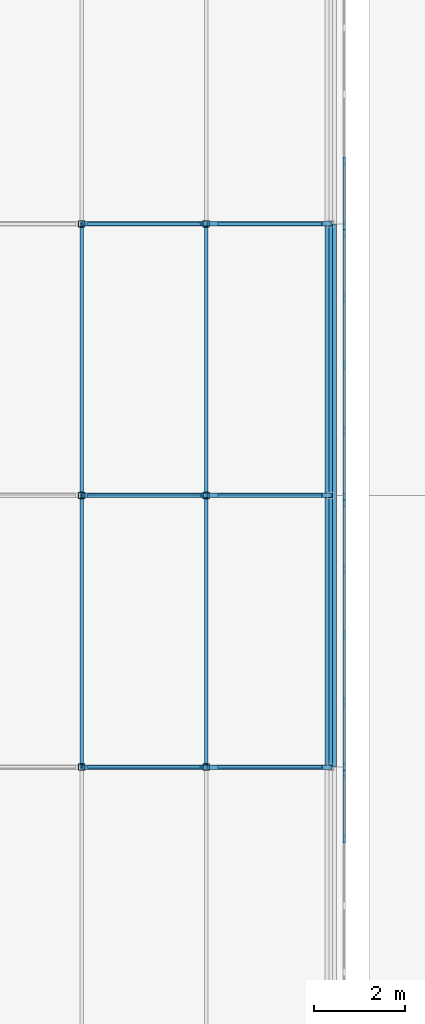
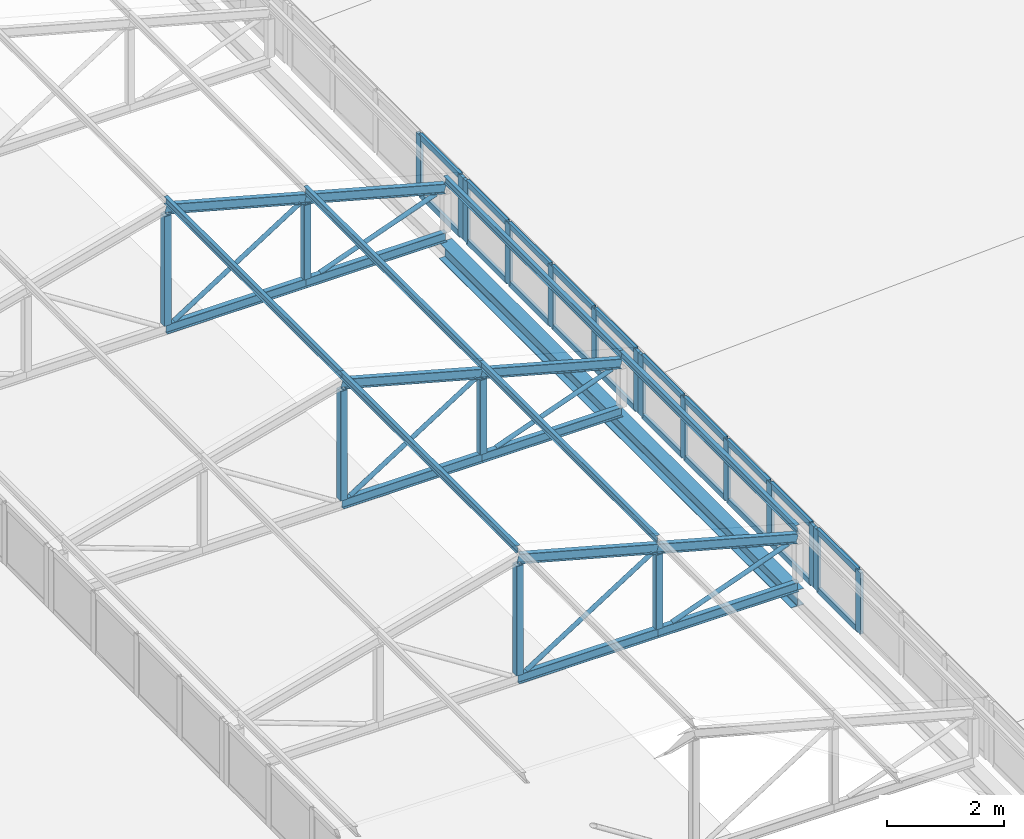
# One storey, part 40 of 94: 64 members, 1 beam, 4 elements without a shape of their own.
"""IFC4 building model written with IfcOpenShell, lengths in metres."""

from ifc_helpers import new_model, si_unit, direction, frame, origin, origin_2d, place, context, subcontext, project, spatial, rectangle, hollow_rectangle, hollow_circle, i_section, extrude, material, layer, layer_set, material_profile, profile_set, type_object, element, aggregate, save


model = new_model("IFC4")

# Units and contexts
model_context = context("Model", 3, precision=1e-05, world=origin(), true_north=direction((0.0, 1.0)))
body_context = subcontext(model_context, "Body", "Model", "MODEL_VIEW")
ifc_project = project(units=[si_unit("LENGTHUNIT", "METRE"), si_unit("AREAUNIT", "SQUARE_METRE"), si_unit("VOLUMEUNIT", "CUBIC_METRE"), si_unit("PLANEANGLEUNIT", "RADIAN"), si_unit("MASSUNIT", "GRAM", prefix="KILO")], contexts=[model_context])

# Site, building, storey
site_placement = place(None, origin())
site = spatial("IfcSite", under=ifc_project, at=site_placement, CompositionType="ELEMENT")
building_placement = place(site_placement, origin())
building = spatial("IfcBuilding", under=site, at=building_placement, Name="Lilac Gate Convention Centre", CompositionType="ELEMENT")
storey_placement = place(building_placement, frame((0.0, 0.0, 21.0)))
storey = spatial("IfcBuildingStorey", under=building, at=storey_placement, Name="L04", CompositionType="ELEMENT", Elevation=21.0)

# Curtain wall, members
ifc_material_1 = material(Name="Aluminium framed double glazing", Category="aluminium")
ifc_layer = layer(ifc_material_1, 0.199951171875)
ifc_layer_set = layer_set([ifc_layer], Name="Aluminium framed double glazing")
curtain_wall_type = type_object("IfcCurtainWallType", Name="Unitised curtain wall 1500", PredefinedType="NOTDEFINED", material=ifc_layer_set)
curtain_wall_1_placement = place(storey_placement, origin())
curtain_wall_1 = element("IfcCurtainWall", 1, at=curtain_wall_1_placement, inside=storey, type_object=curtain_wall_type, Name="Lantern clerestory E 19", PredefinedType="NOTDEFINED")
ifc_material_2 = material(Name="Aluminium alloy 6063", Category="aluminium")
ifc_material_profile_1 = material_profile(ifc_material_2, rectangle(XDim=0.06005859375, YDim=0.159912109375, at=origin_2d()), Name="Curtain wall mullion 60 x 160")
ifc_profile_set_1 = profile_set([ifc_material_profile_1], Name="Aluminium alloy 6063")
member_type_1 = type_object("IfcMemberType", Name="Curtain wall mullion 60 x 160", PredefinedType="MULLION", material=ifc_profile_set_1)
member_1_placement = place(storey_placement, frame((28.89990234375, 142.40625, 0.0), z_axis=(0.0, 0.0, 1.0), x_axis=(-1.0, 0.0, 0.0)))
member_1 = element("IfcMember", 2, at=member_1_placement, type_object=member_type_1, Name="CW mullion 4", PredefinedType="MULLION", context=body_context, shape_type="SweptSolid", body=[
    extrude(rectangle(XDim=0.06005859375, YDim=0.159912109375, at=origin_2d()), origin(), (0.0, 0.0, 1.0), 1.272216796875),
])
member_2_placement = place(storey_placement, frame((28.89990234375, 143.844970703125, 0.0), z_axis=(0.0, 0.0, 1.0), x_axis=(-1.0, 0.0, 0.0)))
member_2 = element("IfcMember", 3, at=member_2_placement, type_object=member_type_1, Name="CW mullion 5", PredefinedType="MULLION", context=body_context, shape_type="SweptSolid", body=[
    extrude(rectangle(XDim=0.06005859375, YDim=0.159912109375, at=origin_2d()), origin(), (0.0, 0.0, 1.0), 1.272216796875),
])

curtain_wall_2_placement = place(storey_placement, origin())
curtain_wall_2 = element("IfcCurtainWall", 4, at=curtain_wall_2_placement, inside=storey, type_object=curtain_wall_type, Name="Lantern clerestory E 20", PredefinedType="NOTDEFINED")
member_3_placement = place(storey_placement, frame((28.89990234375, 144.005126953125, 0.0), z_axis=(0.0, 0.0, 1.0), x_axis=(-1.0, 0.0, 0.0)))
member_3 = element("IfcMember", 5, at=member_3_placement, type_object=member_type_1, Name="CW mullion 1", PredefinedType="MULLION", context=body_context, shape_type="SweptSolid", body=[
    extrude(rectangle(XDim=0.06005859375, YDim=0.159912109375, at=origin_2d()), origin(), (0.0, 0.0, 1.0), 1.272216796875),
])
member_4_placement = place(storey_placement, frame((28.89990234375, 145.44384765625, 0.0), z_axis=(0.0, 0.0, 1.0), x_axis=(-1.0, 0.0, 0.0)))
member_4 = element("IfcMember", 6, at=member_4_placement, type_object=member_type_1, Name="CW mullion 2", PredefinedType="MULLION", context=body_context, shape_type="SweptSolid", body=[
    extrude(rectangle(XDim=0.06005859375, YDim=0.159912109375, at=origin_2d()), origin(), (0.0, 0.0, 1.0), 1.272216796875),
])
member_5_placement = place(storey_placement, frame((28.89990234375, 146.91259765625, 0.0), z_axis=(0.0, 0.0, 1.0), x_axis=(-1.0, 0.0, 0.0)))
member_5 = element("IfcMember", 7, at=member_5_placement, type_object=member_type_1, Name="CW mullion 3", PredefinedType="MULLION", context=body_context, shape_type="SweptSolid", body=[
    extrude(rectangle(XDim=0.06005859375, YDim=0.159912109375, at=origin_2d()), origin(), (0.0, 0.0, 1.0), 1.272216796875),
])
member_6_placement = place(storey_placement, frame((28.89990234375, 148.38134765625, 0.0), z_axis=(0.0, 0.0, 1.0), x_axis=(-1.0, 0.0, 0.0)))
member_6 = element("IfcMember", 8, at=member_6_placement, type_object=member_type_1, Name="CW mullion 4", PredefinedType="MULLION", context=body_context, shape_type="SweptSolid", body=[
    extrude(rectangle(XDim=0.06005859375, YDim=0.159912109375, at=origin_2d()), origin(), (0.0, 0.0, 1.0), 1.272216796875),
])
member_7_placement = place(storey_placement, frame((28.89990234375, 149.820068359375, 0.0), z_axis=(0.0, 0.0, 1.0), x_axis=(-1.0, 0.0, 0.0)))
member_7 = element("IfcMember", 9, at=member_7_placement, type_object=member_type_1, Name="CW mullion 5", PredefinedType="MULLION", context=body_context, shape_type="SweptSolid", body=[
    extrude(rectangle(XDim=0.06005859375, YDim=0.159912109375, at=origin_2d()), origin(), (0.0, 0.0, 1.0), 1.272216796875),
])

curtain_wall_3_placement = place(storey_placement, origin())
curtain_wall_3 = element("IfcCurtainWall", 10, at=curtain_wall_3_placement, inside=storey, type_object=curtain_wall_type, Name="Lantern clerestory E 21", PredefinedType="NOTDEFINED")
member_8_placement = place(storey_placement, frame((28.89990234375, 149.97998046875, 0.0), z_axis=(0.0, 0.0, 1.0), x_axis=(-1.0, 0.0, 0.0)))
member_8 = element("IfcMember", 11, at=member_8_placement, type_object=member_type_1, Name="CW mullion 1", PredefinedType="MULLION", context=body_context, shape_type="SweptSolid", body=[
    extrude(rectangle(XDim=0.06005859375, YDim=0.159912109375, at=origin_2d()), origin(), (0.0, 0.0, 1.0), 1.272216796875),
])
member_9_placement = place(storey_placement, frame((28.89990234375, 151.418701171875, 0.0), z_axis=(0.0, 0.0, 1.0), x_axis=(-1.0, 0.0, 0.0)))
member_9 = element("IfcMember", 12, at=member_9_placement, type_object=member_type_1, Name="CW mullion 2", PredefinedType="MULLION", context=body_context, shape_type="SweptSolid", body=[
    extrude(rectangle(XDim=0.06005859375, YDim=0.159912109375, at=origin_2d()), origin(), (0.0, 0.0, 1.0), 1.272216796875),
])
member_10_placement = place(storey_placement, frame((28.89990234375, 152.887451171875, 0.0), z_axis=(0.0, 0.0, 1.0), x_axis=(-1.0, 0.0, 0.0)))
member_10 = element("IfcMember", 13, at=member_10_placement, type_object=member_type_1, Name="CW mullion 3", PredefinedType="MULLION", context=body_context, shape_type="SweptSolid", body=[
    extrude(rectangle(XDim=0.06005859375, YDim=0.159912109375, at=origin_2d()), origin(), (0.0, 0.0, 1.0), 1.272216796875),
])
member_11_placement = place(storey_placement, frame((28.89990234375, 154.356201171875, 0.0), z_axis=(0.0, 0.0, 1.0), x_axis=(-1.0, 0.0, 0.0)))
member_11 = element("IfcMember", 14, at=member_11_placement, type_object=member_type_1, Name="CW mullion 4", PredefinedType="MULLION", context=body_context, shape_type="SweptSolid", body=[
    extrude(rectangle(XDim=0.06005859375, YDim=0.159912109375, at=origin_2d()), origin(), (0.0, 0.0, 1.0), 1.272216796875),
])
member_12_placement = place(storey_placement, frame((28.89990234375, 155.794921875, 0.0), z_axis=(0.0, 0.0, 1.0), x_axis=(-1.0, 0.0, 0.0)))
member_12 = element("IfcMember", 15, at=member_12_placement, type_object=member_type_1, Name="CW mullion 5", PredefinedType="MULLION", context=body_context, shape_type="SweptSolid", body=[
    extrude(rectangle(XDim=0.06005859375, YDim=0.159912109375, at=origin_2d()), origin(), (0.0, 0.0, 1.0), 1.272216796875),
])

curtain_wall_4_placement = place(storey_placement, origin())
curtain_wall_4 = element("IfcCurtainWall", 16, at=curtain_wall_4_placement, inside=storey, type_object=curtain_wall_type, Name="Lantern clerestory E 22", PredefinedType="NOTDEFINED")
member_13_placement = place(storey_placement, frame((28.89990234375, 155.955078125, 0.0), z_axis=(0.0, 0.0, 1.0), x_axis=(-1.0, 0.0, 0.0)))
member_13 = element("IfcMember", 17, at=member_13_placement, type_object=member_type_1, Name="CW mullion 1", PredefinedType="MULLION", context=body_context, shape_type="SweptSolid", body=[
    extrude(rectangle(XDim=0.06005859375, YDim=0.159912109375, at=origin_2d()), origin(), (0.0, 0.0, 1.0), 1.272216796875),
])
member_14_placement = place(storey_placement, frame((28.89990234375, 157.393798828125, 0.0), z_axis=(0.0, 0.0, 1.0), x_axis=(-1.0, 0.0, 0.0)))
member_14 = element("IfcMember", 18, at=member_14_placement, type_object=member_type_1, Name="CW mullion 2", PredefinedType="MULLION", context=body_context, shape_type="SweptSolid", body=[
    extrude(rectangle(XDim=0.06005859375, YDim=0.159912109375, at=origin_2d()), origin(), (0.0, 0.0, 1.0), 1.272216796875),
])

# Member
ifc_material_profile_2 = material_profile(ifc_material_2, rectangle(XDim=0.06005859375, YDim=0.1201171875, at=origin_2d()), Name="Curtain wall transom 60 x 120")
ifc_profile_set_2 = profile_set([ifc_material_profile_2], Name="Aluminium alloy 6063")
member_type_2 = type_object("IfcMemberType", Name="Curtain wall transom 60 x 120", PredefinedType="USERDEFINED", material=ifc_profile_set_2)
member_15_placement = place(storey_placement, frame((28.89990234375, 142.436279296875, 0.030029296875), z_axis=(0.0, 1.0, 0.0), x_axis=(-1.0, 0.0, 0.0)))
member_15 = element("IfcMember", 19, at=member_15_placement, type_object=member_type_2, Name="CW transom 4.1", ObjectType="TRANSOM", PredefinedType="USERDEFINED", context=body_context, shape_type="SweptSolid", body=[
    extrude(rectangle(XDim=0.06005859375, YDim=0.1201171875, at=origin_2d()), origin(), (0.0, 0.0, 1.0), 1.378662109375),
])

member_16_placement = place(storey_placement, frame((28.89990234375, 142.436279296875, 1.2421875), z_axis=(0.0, 1.0, 0.0), x_axis=(-1.0, 0.0, 0.0)))
member_16 = element("IfcMember", 20, at=member_16_placement, type_object=member_type_2, Name="CW transom 4.2", ObjectType="TRANSOM", PredefinedType="USERDEFINED", context=body_context, shape_type="SweptSolid", body=[
    extrude(rectangle(XDim=0.06005859375, YDim=0.1201171875, at=origin_2d()), origin(), (0.0, 0.0, 1.0), 1.378662109375),
])

aggregate(curtain_wall_1, [member_1, member_2, member_15, member_16])

member_17_placement = place(storey_placement, frame((28.89990234375, 144.03515625, 0.030029296875), z_axis=(0.0, 1.0, 0.0), x_axis=(-1.0, 0.0, 0.0)))
member_17 = element("IfcMember", 21, at=member_17_placement, type_object=member_type_2, Name="CW transom 1.1", ObjectType="TRANSOM", PredefinedType="USERDEFINED", context=body_context, shape_type="SweptSolid", body=[
    extrude(rectangle(XDim=0.06005859375, YDim=0.1201171875, at=origin_2d()), origin(), (0.0, 0.0, 1.0), 1.378662109375),
])

member_18_placement = place(storey_placement, frame((28.89990234375, 144.03515625, 1.2421875), z_axis=(0.0, 1.0, 0.0), x_axis=(-1.0, 0.0, 0.0)))
member_18 = element("IfcMember", 22, at=member_18_placement, type_object=member_type_2, Name="CW transom 1.2", ObjectType="TRANSOM", PredefinedType="USERDEFINED", context=body_context, shape_type="SweptSolid", body=[
    extrude(rectangle(XDim=0.06005859375, YDim=0.1201171875, at=origin_2d()), origin(), (0.0, 0.0, 1.0), 1.378662109375),
])

member_19_placement = place(storey_placement, frame((28.89990234375, 145.473876953125, 0.030029296875), z_axis=(0.0, 1.0, 0.0), x_axis=(-1.0, 0.0, 0.0)))
member_19 = element("IfcMember", 23, at=member_19_placement, type_object=member_type_2, Name="CW transom 2.1", ObjectType="TRANSOM", PredefinedType="USERDEFINED", context=body_context, shape_type="SweptSolid", body=[
    extrude(rectangle(XDim=0.06005859375, YDim=0.1201171875, at=origin_2d()), origin(), (0.0, 0.0, 1.0), 1.40869140625),
])

member_20_placement = place(storey_placement, frame((28.89990234375, 145.473876953125, 1.2421875), z_axis=(0.0, 1.0, 0.0), x_axis=(-1.0, 0.0, 0.0)))
member_20 = element("IfcMember", 24, at=member_20_placement, type_object=member_type_2, Name="CW transom 2.2", ObjectType="TRANSOM", PredefinedType="USERDEFINED", context=body_context, shape_type="SweptSolid", body=[
    extrude(rectangle(XDim=0.06005859375, YDim=0.1201171875, at=origin_2d()), origin(), (0.0, 0.0, 1.0), 1.40869140625),
])

member_21_placement = place(storey_placement, frame((28.89990234375, 146.942626953125, 0.030029296875), z_axis=(0.0, 1.0, 0.0), x_axis=(-1.0, 0.0, 0.0)))
member_21 = element("IfcMember", 25, at=member_21_placement, type_object=member_type_2, Name="CW transom 3.1", ObjectType="TRANSOM", PredefinedType="USERDEFINED", context=body_context, shape_type="SweptSolid", body=[
    extrude(rectangle(XDim=0.06005859375, YDim=0.1201171875, at=origin_2d()), origin(), (0.0, 0.0, 1.0), 1.40869140625),
])

member_22_placement = place(storey_placement, frame((28.89990234375, 146.942626953125, 1.2421875), z_axis=(0.0, 1.0, 0.0), x_axis=(-1.0, 0.0, 0.0)))
member_22 = element("IfcMember", 26, at=member_22_placement, type_object=member_type_2, Name="CW transom 3.2", ObjectType="TRANSOM", PredefinedType="USERDEFINED", context=body_context, shape_type="SweptSolid", body=[
    extrude(rectangle(XDim=0.06005859375, YDim=0.1201171875, at=origin_2d()), origin(), (0.0, 0.0, 1.0), 1.40869140625),
])

member_23_placement = place(storey_placement, frame((28.89990234375, 148.411376953125, 0.030029296875), z_axis=(0.0, 1.0, 0.0), x_axis=(-1.0, 0.0, 0.0)))
member_23 = element("IfcMember", 27, at=member_23_placement, type_object=member_type_2, Name="CW transom 4.1", ObjectType="TRANSOM", PredefinedType="USERDEFINED", context=body_context, shape_type="SweptSolid", body=[
    extrude(rectangle(XDim=0.06005859375, YDim=0.1201171875, at=origin_2d()), origin(), (0.0, 0.0, 1.0), 1.378662109375),
])

member_24_placement = place(storey_placement, frame((28.89990234375, 148.411376953125, 1.2421875), z_axis=(0.0, 1.0, 0.0), x_axis=(-1.0, 0.0, 0.0)))
member_24 = element("IfcMember", 28, at=member_24_placement, type_object=member_type_2, Name="CW transom 4.2", ObjectType="TRANSOM", PredefinedType="USERDEFINED", context=body_context, shape_type="SweptSolid", body=[
    extrude(rectangle(XDim=0.06005859375, YDim=0.1201171875, at=origin_2d()), origin(), (0.0, 0.0, 1.0), 1.378662109375),
])

aggregate(curtain_wall_2, [member_3, member_4, member_5, member_6, member_7, member_17, member_18, member_19, member_20, member_21, member_22, member_23, member_24])

member_25_placement = place(storey_placement, frame((28.89990234375, 150.010009765625, 0.030029296875), z_axis=(0.0, 1.0, 0.0), x_axis=(-1.0, 0.0, 0.0)))
member_25 = element("IfcMember", 29, at=member_25_placement, type_object=member_type_2, Name="CW transom 1.1", ObjectType="TRANSOM", PredefinedType="USERDEFINED", context=body_context, shape_type="SweptSolid", body=[
    extrude(rectangle(XDim=0.06005859375, YDim=0.1201171875, at=origin_2d()), origin(), (0.0, 0.0, 1.0), 1.378662109375),
])

member_26_placement = place(storey_placement, frame((28.89990234375, 150.010009765625, 1.2421875), z_axis=(0.0, 1.0, 0.0), x_axis=(-1.0, 0.0, 0.0)))
member_26 = element("IfcMember", 30, at=member_26_placement, type_object=member_type_2, Name="CW transom 1.2", ObjectType="TRANSOM", PredefinedType="USERDEFINED", context=body_context, shape_type="SweptSolid", body=[
    extrude(rectangle(XDim=0.06005859375, YDim=0.1201171875, at=origin_2d()), origin(), (0.0, 0.0, 1.0), 1.378662109375),
])

member_27_placement = place(storey_placement, frame((28.89990234375, 151.44873046875, 0.030029296875), z_axis=(0.0, 1.0, 0.0), x_axis=(-1.0, 0.0, 0.0)))
member_27 = element("IfcMember", 31, at=member_27_placement, type_object=member_type_2, Name="CW transom 2.1", ObjectType="TRANSOM", PredefinedType="USERDEFINED", context=body_context, shape_type="SweptSolid", body=[
    extrude(rectangle(XDim=0.06005859375, YDim=0.1201171875, at=origin_2d()), origin(), (0.0, 0.0, 1.0), 1.40869140625),
])

member_28_placement = place(storey_placement, frame((28.89990234375, 151.44873046875, 1.2421875), z_axis=(0.0, 1.0, 0.0), x_axis=(-1.0, 0.0, 0.0)))
member_28 = element("IfcMember", 32, at=member_28_placement, type_object=member_type_2, Name="CW transom 2.2", ObjectType="TRANSOM", PredefinedType="USERDEFINED", context=body_context, shape_type="SweptSolid", body=[
    extrude(rectangle(XDim=0.06005859375, YDim=0.1201171875, at=origin_2d()), origin(), (0.0, 0.0, 1.0), 1.40869140625),
])

member_29_placement = place(storey_placement, frame((28.89990234375, 152.91748046875, 0.030029296875), z_axis=(0.0, 1.0, 0.0), x_axis=(-1.0, 0.0, 0.0)))
member_29 = element("IfcMember", 33, at=member_29_placement, type_object=member_type_2, Name="CW transom 3.1", ObjectType="TRANSOM", PredefinedType="USERDEFINED", context=body_context, shape_type="SweptSolid", body=[
    extrude(rectangle(XDim=0.06005859375, YDim=0.1201171875, at=origin_2d()), origin(), (0.0, 0.0, 1.0), 1.40869140625),
])

member_30_placement = place(storey_placement, frame((28.89990234375, 152.91748046875, 1.2421875), z_axis=(0.0, 1.0, 0.0), x_axis=(-1.0, 0.0, 0.0)))
member_30 = element("IfcMember", 34, at=member_30_placement, type_object=member_type_2, Name="CW transom 3.2", ObjectType="TRANSOM", PredefinedType="USERDEFINED", context=body_context, shape_type="SweptSolid", body=[
    extrude(rectangle(XDim=0.06005859375, YDim=0.1201171875, at=origin_2d()), origin(), (0.0, 0.0, 1.0), 1.40869140625),
])

member_31_placement = place(storey_placement, frame((28.89990234375, 154.38623046875, 0.030029296875), z_axis=(0.0, 1.0, 0.0), x_axis=(-1.0, 0.0, 0.0)))
member_31 = element("IfcMember", 35, at=member_31_placement, type_object=member_type_2, Name="CW transom 4.1", ObjectType="TRANSOM", PredefinedType="USERDEFINED", context=body_context, shape_type="SweptSolid", body=[
    extrude(rectangle(XDim=0.06005859375, YDim=0.1201171875, at=origin_2d()), origin(), (0.0, 0.0, 1.0), 1.378662109375),
])

member_32_placement = place(storey_placement, frame((28.89990234375, 154.38623046875, 1.2421875), z_axis=(0.0, 1.0, 0.0), x_axis=(-1.0, 0.0, 0.0)))
member_32 = element("IfcMember", 36, at=member_32_placement, type_object=member_type_2, Name="CW transom 4.2", ObjectType="TRANSOM", PredefinedType="USERDEFINED", context=body_context, shape_type="SweptSolid", body=[
    extrude(rectangle(XDim=0.06005859375, YDim=0.1201171875, at=origin_2d()), origin(), (0.0, 0.0, 1.0), 1.378662109375),
])

aggregate(curtain_wall_3, [member_8, member_9, member_10, member_11, member_12, member_25, member_26, member_27, member_28, member_29, member_30, member_31, member_32])

member_33_placement = place(storey_placement, frame((28.89990234375, 155.985107421875, 0.030029296875), z_axis=(0.0, 1.0, 0.0), x_axis=(-1.0, 0.0, 0.0)))
member_33 = element("IfcMember", 37, at=member_33_placement, type_object=member_type_2, Name="CW transom 1.1", ObjectType="TRANSOM", PredefinedType="USERDEFINED", context=body_context, shape_type="SweptSolid", body=[
    extrude(rectangle(XDim=0.06005859375, YDim=0.1201171875, at=origin_2d()), origin(), (0.0, 0.0, 1.0), 1.378662109375),
])

member_34_placement = place(storey_placement, frame((28.89990234375, 155.985107421875, 1.2421875), z_axis=(0.0, 1.0, 0.0), x_axis=(-1.0, 0.0, 0.0)))
member_34 = element("IfcMember", 38, at=member_34_placement, type_object=member_type_2, Name="CW transom 1.2", ObjectType="TRANSOM", PredefinedType="USERDEFINED", context=body_context, shape_type="SweptSolid", body=[
    extrude(rectangle(XDim=0.06005859375, YDim=0.1201171875, at=origin_2d()), origin(), (0.0, 0.0, 1.0), 1.378662109375),
])

aggregate(curtain_wall_4, [member_13, member_14, member_33, member_34])

# Members
ifc_material_3 = material(Name="Steel Q355B", Category="steel")
ifc_material_profile_3 = material_profile(ifc_material_3, i_section(OverallWidth=0.10009765625, OverallDepth=0.199951171875, WebThickness=0.005615234375, FlangeThickness=0.008056640625, FilletRadius=0.008056640625, at=origin_2d()), Name="HN200x100x5.5x8")
ifc_profile_set_3 = profile_set([ifc_material_profile_3], Name="Steel Q355B")
member_type_3 = type_object("IfcMemberType", Name="Lantern bottom chord HN200x100x5.5x8", PredefinedType="CHORD", material=ifc_profile_set_3)
for number, where, z_axis, x_axis, name in (
    (39, (23.10009765625, 144.0, 0.10009765625), (1.0, 0.0, 0.0), (0.0, 1.0, 0.0), "LB1 lantern truss 20 bottom chord 3"),
    (40, (25.85009765625, 144.0, 0.10009765625), (1.0, 0.0, 0.0), (0.0, 1.0, 0.0), "LB1 lantern truss 20 bottom chord 4"),
    (41, (23.10009765625, 150.0, 0.10009765625), (1.0, 0.0, 0.0), (0.0, 1.0, 0.0), "LB1 lantern truss 21 bottom chord 3"),
    (42, (25.85009765625, 150.0, 0.10009765625), (1.0, 0.0, 0.0), (0.0, 1.0, 0.0), "LB1 lantern truss 21 bottom chord 4"),
    (43, (23.10009765625, 156.0, 0.10009765625), (1.0, 0.0, 0.0), (0.0, 1.0, 0.0), "LB1 lantern truss 22 bottom chord 3"),
    (44, (25.85009765625, 156.0, 0.10009765625), (1.0, 0.0, 0.0), (0.0, 1.0, 0.0), "LB1 lantern truss 22 bottom chord 4"),
):
    element("IfcMember", number, at=place(storey_placement, frame(where, z_axis=z_axis, x_axis=x_axis)), inside=storey, type_object=member_type_3, Name=name, PredefinedType="CHORD", context=body_context, shape_type="SweptSolid", body=[
        extrude(i_section(OverallWidth=0.10009765625, OverallDepth=0.199951171875, WebThickness=0.005615234375, FlangeThickness=0.008056640625, FilletRadius=0.008056640625, at=origin_2d()), origin(), (0.0, 0.0, 1.0), 2.75),
    ])
ifc_material_profile_4 = material_profile(ifc_material_3, hollow_circle(Radius=0.04443359375, WallThickness=0.0048828125, at=origin_2d()), Name="CHS88.9x5")
ifc_profile_set_4 = profile_set([ifc_material_profile_4], Name="Steel Q355B")
member_type_4 = type_object("IfcMemberType", Name="Lantern diagonal CHS88.9x5", PredefinedType="BRACE", material=ifc_profile_set_4)
member_35_placement = place(storey_placement, frame((25.74169921875, 144.0, 1.781005859375), z_axis=(-0.843671728148, 0.0, -0.536859399773), x_axis=(0.0, -1.0, 0.0)))
element("IfcMember", 45, at=member_35_placement, inside=storey, type_object=member_type_4, Name="LW1 lantern truss 20 diagonal 3", PredefinedType="BRACE", context=body_context, shape_type="SweptSolid", body=[
    extrude(hollow_circle(Radius=0.04443359375, WallThickness=0.0048828125, at=origin_2d()), origin(), (0.0, 0.0, 1.0), 2.945068359375),
])
member_36_placement = place(storey_placement, frame((28.410400390625, 144.0, 1.031005859375), z_axis=(-0.939793423488, 0.0, -0.341743063087), x_axis=(0.0, -1.0, 0.0)))
element("IfcMember", 46, at=member_36_placement, inside=storey, type_object=member_type_4, Name="LW1 lantern truss 20 diagonal 4", PredefinedType="BRACE", context=body_context, shape_type="SweptSolid", body=[
    extrude(hollow_circle(Radius=0.04443359375, WallThickness=0.0048828125, at=origin_2d()), origin(), (0.0, 0.0, 1.0), 2.431884765625),
])
member_37_placement = place(storey_placement, frame((25.74169921875, 150.0, 1.781005859375), z_axis=(-0.843671728148, 0.0, -0.536859399773), x_axis=(0.0, -1.0, 0.0)))
element("IfcMember", 47, at=member_37_placement, inside=storey, type_object=member_type_4, Name="LW1 lantern truss 21 diagonal 3", PredefinedType="BRACE", context=body_context, shape_type="SweptSolid", body=[
    extrude(hollow_circle(Radius=0.04443359375, WallThickness=0.0048828125, at=origin_2d()), origin(), (0.0, 0.0, 1.0), 2.945068359375),
])
member_38_placement = place(storey_placement, frame((28.410400390625, 150.0, 1.031005859375), z_axis=(-0.939793423488, 0.0, -0.341743063087), x_axis=(0.0, -1.0, 0.0)))
element("IfcMember", 48, at=member_38_placement, inside=storey, type_object=member_type_4, Name="LW1 lantern truss 21 diagonal 4", PredefinedType="BRACE", context=body_context, shape_type="SweptSolid", body=[
    extrude(hollow_circle(Radius=0.04443359375, WallThickness=0.0048828125, at=origin_2d()), origin(), (0.0, 0.0, 1.0), 2.431884765625),
])
member_39_placement = place(storey_placement, frame((25.74169921875, 156.0, 1.781005859375), z_axis=(-0.843671728148, 0.0, -0.536859399773), x_axis=(0.0, -1.0, 0.0)))
element("IfcMember", 49, at=member_39_placement, inside=storey, type_object=member_type_4, Name="LW1 lantern truss 22 diagonal 3", PredefinedType="BRACE", context=body_context, shape_type="SweptSolid", body=[
    extrude(hollow_circle(Radius=0.04443359375, WallThickness=0.0048828125, at=origin_2d()), origin(), (0.0, 0.0, 1.0), 2.945068359375),
])
member_40_placement = place(storey_placement, frame((28.410400390625, 156.0, 1.031005859375), z_axis=(-0.939793423488, 0.0, -0.341743063087), x_axis=(0.0, -1.0, 0.0)))
element("IfcMember", 50, at=member_40_placement, inside=storey, type_object=member_type_4, Name="LW1 lantern truss 22 diagonal 4", PredefinedType="BRACE", context=body_context, shape_type="SweptSolid", body=[
    extrude(hollow_circle(Radius=0.04443359375, WallThickness=0.0048828125, at=origin_2d()), origin(), (0.0, 0.0, 1.0), 2.431884765625),
])
ifc_material_profile_5 = material_profile(ifc_material_3, hollow_rectangle(XDim=0.139892578125, YDim=0.139892578125, WallThickness=0.0048828125, InnerFilletRadius=0.0048828125, OuterFilletRadius=0.010009765625, at=origin_2d()), Name="SHS140x140x5")
ifc_profile_set_5 = profile_set([ifc_material_profile_5], Name="Steel Q355B")
member_type_5 = type_object("IfcMemberType", Name="Lantern post SHS140x140x5", PredefinedType="STRUT", material=ifc_profile_set_5)
member_41_placement = place(storey_placement, frame((23.10009765625, 144.0, 0.199951171875), z_axis=(0.0, 0.0, 1.0), x_axis=(1.0, 0.0, 0.0)))
element("IfcMember", 51, at=member_41_placement, inside=storey, type_object=member_type_5, Name="LV1 lantern truss 20 post 3", PredefinedType="STRUT", context=body_context, shape_type="SweptSolid", body=[
    extrude(hollow_rectangle(XDim=0.139892578125, YDim=0.139892578125, WallThickness=0.0048828125, InnerFilletRadius=0.0048828125, OuterFilletRadius=0.010009765625, at=origin_2d()), origin(), (0.0, 0.0, 1.0), 2.277099609375),
])
member_42_placement = place(storey_placement, frame((25.85009765625, 144.0, 0.199951171875), z_axis=(0.0, 0.0, 1.0), x_axis=(1.0, 0.0, 0.0)))
element("IfcMember", 52, at=member_42_placement, inside=storey, type_object=member_type_5, Name="LV1 lantern truss 20 post 4", PredefinedType="STRUT", context=body_context, shape_type="SweptSolid", body=[
    extrude(hollow_rectangle(XDim=0.139892578125, YDim=0.139892578125, WallThickness=0.0048828125, InnerFilletRadius=0.0048828125, OuterFilletRadius=0.010009765625, at=origin_2d()), origin(), (0.0, 0.0, 1.0), 1.546142578125),
])
member_43_placement = place(storey_placement, frame((23.10009765625, 150.0, 0.199951171875), z_axis=(0.0, 0.0, 1.0), x_axis=(1.0, 0.0, 0.0)))
element("IfcMember", 53, at=member_43_placement, inside=storey, type_object=member_type_5, Name="LV1 lantern truss 21 post 3", PredefinedType="STRUT", context=body_context, shape_type="SweptSolid", body=[
    extrude(hollow_rectangle(XDim=0.139892578125, YDim=0.139892578125, WallThickness=0.0048828125, InnerFilletRadius=0.0048828125, OuterFilletRadius=0.010009765625, at=origin_2d()), origin(), (0.0, 0.0, 1.0), 2.277099609375),
])
member_44_placement = place(storey_placement, frame((25.85009765625, 150.0, 0.199951171875), z_axis=(0.0, 0.0, 1.0), x_axis=(1.0, 0.0, 0.0)))
element("IfcMember", 54, at=member_44_placement, inside=storey, type_object=member_type_5, Name="LV1 lantern truss 21 post 4", PredefinedType="STRUT", context=body_context, shape_type="SweptSolid", body=[
    extrude(hollow_rectangle(XDim=0.139892578125, YDim=0.139892578125, WallThickness=0.0048828125, InnerFilletRadius=0.0048828125, OuterFilletRadius=0.010009765625, at=origin_2d()), origin(), (0.0, 0.0, 1.0), 1.546142578125),
])
member_45_placement = place(storey_placement, frame((23.10009765625, 156.0, 0.199951171875), z_axis=(0.0, 0.0, 1.0), x_axis=(1.0, 0.0, 0.0)))
element("IfcMember", 55, at=member_45_placement, inside=storey, type_object=member_type_5, Name="LV1 lantern truss 22 post 3", PredefinedType="STRUT", context=body_context, shape_type="SweptSolid", body=[
    extrude(hollow_rectangle(XDim=0.139892578125, YDim=0.139892578125, WallThickness=0.0048828125, InnerFilletRadius=0.0048828125, OuterFilletRadius=0.010009765625, at=origin_2d()), origin(), (0.0, 0.0, 1.0), 2.277099609375),
])
member_46_placement = place(storey_placement, frame((25.85009765625, 156.0, 0.199951171875), z_axis=(0.0, 0.0, 1.0), x_axis=(1.0, 0.0, 0.0)))
element("IfcMember", 56, at=member_46_placement, inside=storey, type_object=member_type_5, Name="LV1 lantern truss 22 post 4", PredefinedType="STRUT", context=body_context, shape_type="SweptSolid", body=[
    extrude(hollow_rectangle(XDim=0.139892578125, YDim=0.139892578125, WallThickness=0.0048828125, InnerFilletRadius=0.0048828125, OuterFilletRadius=0.010009765625, at=origin_2d()), origin(), (0.0, 0.0, 1.0), 1.546142578125),
])
ifc_material_profile_6 = material_profile(ifc_material_3, i_section(OverallWidth=0.074951171875, OverallDepth=0.14990234375, WebThickness=0.0048828125, FlangeThickness=0.007080078125, FilletRadius=0.008056640625, at=origin_2d()), Name="HN150x75x5x7")
ifc_profile_set_6 = profile_set([ifc_material_profile_6], Name="Steel Q355B")
member_type_6 = type_object("IfcMemberType", Name="Lantern purlin HN150x75x5x7", PredefinedType="PURLIN", material=ifc_profile_set_6)
for number, where, z_axis, x_axis, name in (
    (57, (23.10009765625, 144.0, 2.779052734375), (0.0, 1.0, 0.0), (-1.0, 0.0, 0.0), "LP1 lantern purlin bay 20 line 3"),
    (58, (23.10009765625, 150.0, 2.779052734375), (0.0, 1.0, 0.0), (-1.0, 0.0, 0.0), "LP1 lantern purlin bay 21 line 3"),
    (59, (25.85009765625, 144.0, 2.029052734375), (0.0, 1.0, 0.0), (-1.0, 0.0, 0.0), "LP1 lantern purlin bay 20 line 4"),
    (60, (25.85009765625, 150.0, 2.029052734375), (0.0, 1.0, 0.0), (-1.0, 0.0, 0.0), "LP1 lantern purlin bay 21 line 4"),
    (61, (28.60009765625, 144.0, 1.279052734375), (0.0, 1.0, 0.0), (-1.0, 0.0, 0.0), "LP1 lantern purlin bay 20 line 5"),
    (62, (28.60009765625, 150.0, 1.279052734375), (0.0, 1.0, 0.0), (-1.0, 0.0, 0.0), "LP1 lantern purlin bay 21 line 5"),
):
    element("IfcMember", number, at=place(storey_placement, frame(where, z_axis=z_axis, x_axis=x_axis)), inside=storey, type_object=member_type_6, Name=name, PredefinedType="PURLIN", context=body_context, shape_type="SweptSolid", body=[
        extrude(i_section(OverallWidth=0.074951171875, OverallDepth=0.14990234375, WebThickness=0.0048828125, FlangeThickness=0.007080078125, FilletRadius=0.008056640625, at=origin_2d()), origin(), (0.0, 0.0, 1.0), 6.0),
    ])
ifc_material_profile_7 = material_profile(ifc_material_3, i_section(OverallWidth=0.10009765625, OverallDepth=0.199951171875, WebThickness=0.005615234375, FlangeThickness=0.008056640625, FilletRadius=0.008056640625, at=origin_2d()), Name="HN200x100x5.5x8")
ifc_profile_set_7 = profile_set([ifc_material_profile_7], Name="Steel Q355B")
member_type_7 = type_object("IfcMemberType", Name="Lantern top chord HN200x100x5.5x8", PredefinedType="CHORD", material=ifc_profile_set_7)
for number, where, z_axis, x_axis, name in (
    (63, (23.10009765625, 144.0, 2.60009765625), (0.964763821238, 0.0, -0.263117405792), (0.0, 1.0, 0.0), "LT1 lantern truss 20 top chord 3"),
    (64, (25.85009765625, 144.0, 1.85009765625), (0.964763821238, 0.0, -0.263117405792), (0.0, 1.0, 0.0), "LT1 lantern truss 20 top chord 4"),
    (65, (23.10009765625, 150.0, 2.60009765625), (0.964763821238, 0.0, -0.263117405792), (0.0, 1.0, 0.0), "LT1 lantern truss 21 top chord 3"),
    (66, (25.85009765625, 150.0, 1.85009765625), (0.964763821238, 0.0, -0.263117405792), (0.0, 1.0, 0.0), "LT1 lantern truss 21 top chord 4"),
    (67, (23.10009765625, 156.0, 2.60009765625), (0.964763821238, 0.0, -0.263117405792), (0.0, 1.0, 0.0), "LT1 lantern truss 22 top chord 3"),
    (68, (25.85009765625, 156.0, 1.85009765625), (0.964763821238, 0.0, -0.263117405792), (0.0, 1.0, 0.0), "LT1 lantern truss 22 top chord 4"),
):
    element("IfcMember", number, at=place(storey_placement, frame(where, z_axis=z_axis, x_axis=x_axis)), inside=storey, type_object=member_type_7, Name=name, PredefinedType="CHORD", context=body_context, shape_type="SweptSolid", body=[
        extrude(i_section(OverallWidth=0.10009765625, OverallDepth=0.199951171875, WebThickness=0.005615234375, FlangeThickness=0.008056640625, FilletRadius=0.008056640625, at=origin_2d()), origin(), (0.0, 0.0, 1.0), 2.850341796875),
    ])

# Beam
ifc_material_profile_8 = material_profile(ifc_material_3, i_section(OverallWidth=0.25, OverallDepth=0.340087890625, WebThickness=0.009033203125, FlangeThickness=0.013916015625, FilletRadius=0.012939453125, at=origin_2d()), Name="HM340x250x9x14")
ifc_profile_set_8 = profile_set([ifc_material_profile_8], Name="Steel Q355B")
beam_type = type_object("IfcBeamType", Name="Steel edge beam HM340x250x9x14", PredefinedType="BEAM", material=ifc_profile_set_8)
beam_placement = place(storey_placement, frame((28.60009765625, 144.0, -0.169921875), z_axis=(0.0, 1.0, 0.0), x_axis=(-1.0, 0.0, 0.0)))
element("IfcBeam", 69, at=beam_placement, inside=storey, type_object=beam_type, Name="LE1 lantern edge beam 11", PredefinedType="BEAM", context=body_context, shape_type="SweptSolid", body=[
    extrude(i_section(OverallWidth=0.25, OverallDepth=0.340087890625, WebThickness=0.009033203125, FlangeThickness=0.013916015625, FilletRadius=0.012939453125, at=origin_2d()), origin(), (0.0, 0.0, 1.0), 12.0),
])

save(model, "model.ifc")
